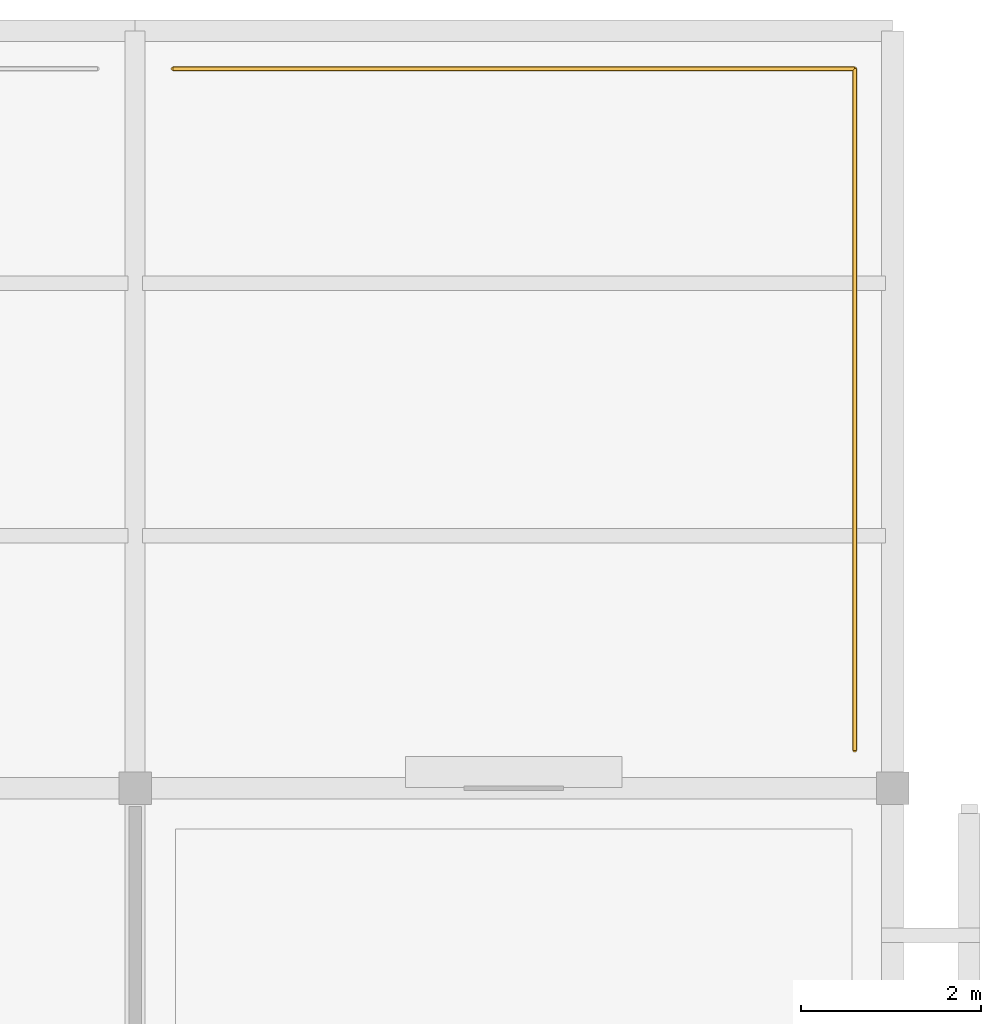
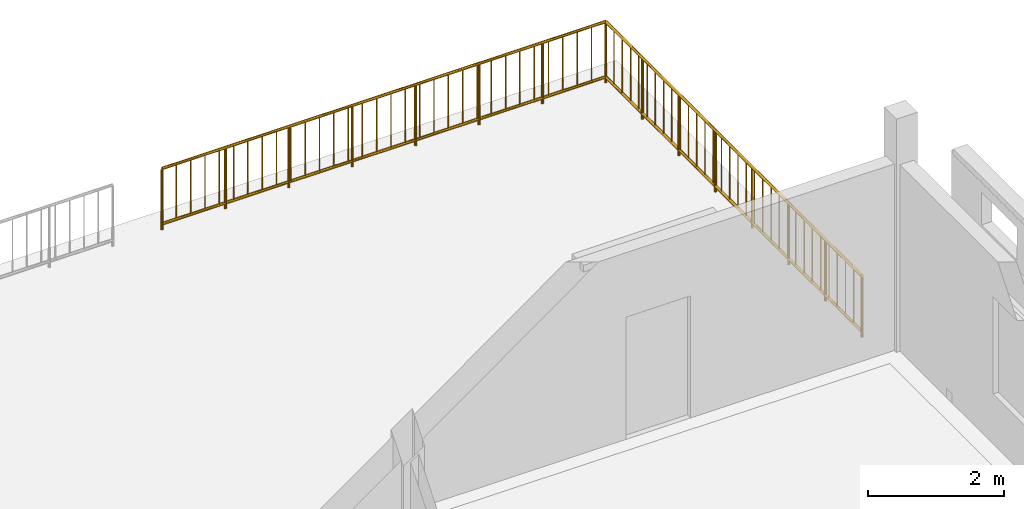
# One storey, part 13 of 13: 2 railings.
"""IFC4 building model written with IfcOpenShell, lengths in metres."""

from ifc_helpers import new_model, si_unit, direction, frame, origin, origin_2d, place, context, subcontext, project, spatial, circle, extrude, material, type_object, element, save


model = new_model("IFC4")

# Units and contexts
model_context = context("Model", 3, precision=1e-05, world=origin(), true_north=direction((0.0, 1.0)))
body_context = subcontext(model_context, "Body", "Model", "MODEL_VIEW")
ifc_project = project(units=[si_unit("LENGTHUNIT", "METRE"), si_unit("AREAUNIT", "SQUARE_METRE"), si_unit("VOLUMEUNIT", "CUBIC_METRE"), si_unit("PLANEANGLEUNIT", "RADIAN"), si_unit("MASSUNIT", "GRAM", prefix="KILO")], contexts=[model_context])

# Site, building, storey
site_placement = place(None, origin())
site = spatial("IfcSite", under=ifc_project, at=site_placement, CompositionType="ELEMENT")
building_placement = place(site_placement, origin())
building = spatial("IfcBuilding", under=site, at=building_placement, Name="Varnapada Polytechnic", CompositionType="ELEMENT")
storey_placement = place(building_placement, frame((0.0, 0.0, 26.39990234375)))
storey = spatial("IfcBuildingStorey", under=building, at=storey_placement, Name="L06", CompositionType="ELEMENT", Elevation=26.39990234375)

# Railings
ifc_material = material(Name="Painted galvanized steel", Category="steel")
railing_type = type_object("IfcRailingType", Name="Terrace Guard Rail GRD-01", PredefinedType="BALUSTRADE", material=ifc_material)
railing_1_placement = place(storey_placement, frame((17.219970703125, 125.580078125, 0.0)))
element("IfcRailing", 1, at=railing_1_placement, inside=storey, type_object=railing_type, Name="L06 terrace perimeter guard rail 9", PredefinedType="BALUSTRADE", context=body_context, shape_type="SweptSolid", body=[
    extrude(circle(Radius=0.02392578125, at=origin_2d()), frame((0.0, 0.0, 1.09619140625), z_axis=(1.0, 0.0, 0.0), x_axis=(0.0, 1.0, 0.0)), (0.0, 0.0, 1.0), 7.56005859375),
    extrude(circle(Radius=0.02392578125, at=origin_2d()), frame((0.0, 0.0, 0.10009765625), z_axis=(1.0, 0.0, 0.0), x_axis=(0.0, 1.0, 0.0)), (0.0, 0.0, 1.0), 7.56005859375),
    extrude(circle(Radius=0.02099609375, at=origin_2d()), origin(), (0.0, 0.0, 1.0), 1.072021484375),
    extrude(circle(Radius=0.02099609375, at=origin_2d()), frame((1.080078125, 0.0, 0.0)), (0.0, 0.0, 1.0), 1.072021484375),
    extrude(circle(Radius=0.02099609375, at=origin_2d()), frame((2.159912109375, 0.0, 0.0)), (0.0, 0.0, 1.0), 1.072021484375),
    extrude(circle(Radius=0.02099609375, at=origin_2d()), frame((3.239990234375, 0.0, 0.0)), (0.0, 0.0, 1.0), 1.072021484375),
    extrude(circle(Radius=0.02099609375, at=origin_2d()), frame((4.320068359375, 0.0, 0.0)), (0.0, 0.0, 1.0), 1.072021484375),
    extrude(circle(Radius=0.02099609375, at=origin_2d()), frame((5.400146484375, 0.0, 0.0)), (0.0, 0.0, 1.0), 1.072021484375),
    extrude(circle(Radius=0.02099609375, at=origin_2d()), frame((6.47998046875, 0.0, 0.0)), (0.0, 0.0, 1.0), 1.072021484375),
    extrude(circle(Radius=0.02099609375, at=origin_2d()), frame((7.56005859375, 0.0, 0.0)), (0.0, 0.0, 1.0), 1.072021484375),
    extrude(circle(Radius=0.010009765625, at=origin_2d()), frame((0.243896484375, 0.0, 0.10009765625)), (0.0, 0.0, 1.0), 0.971923828125),
    extrude(circle(Radius=0.010009765625, at=origin_2d()), frame((0.48779296875, 0.0, 0.10009765625)), (0.0, 0.0, 1.0), 0.971923828125),
    extrude(circle(Radius=0.010009765625, at=origin_2d()), frame((0.731689453125, 0.0, 0.10009765625)), (0.0, 0.0, 1.0), 0.971923828125),
    extrude(circle(Radius=0.010009765625, at=origin_2d()), frame((0.9755859375, 0.0, 0.10009765625)), (0.0, 0.0, 1.0), 0.971923828125),
    extrude(circle(Radius=0.010009765625, at=origin_2d()), frame((1.219482421875, 0.0, 0.10009765625)), (0.0, 0.0, 1.0), 0.971923828125),
    extrude(circle(Radius=0.010009765625, at=origin_2d()), frame((1.463134765625, 0.0, 0.10009765625)), (0.0, 0.0, 1.0), 0.971923828125),
    extrude(circle(Radius=0.010009765625, at=origin_2d()), frame((1.70703125, 0.0, 0.10009765625)), (0.0, 0.0, 1.0), 0.971923828125),
    extrude(circle(Radius=0.010009765625, at=origin_2d()), frame((1.950927734375, 0.0, 0.10009765625)), (0.0, 0.0, 1.0), 0.971923828125),
    extrude(circle(Radius=0.010009765625, at=origin_2d()), frame((2.19482421875, 0.0, 0.10009765625)), (0.0, 0.0, 1.0), 0.971923828125),
    extrude(circle(Radius=0.010009765625, at=origin_2d()), frame((2.438720703125, 0.0, 0.10009765625)), (0.0, 0.0, 1.0), 0.971923828125),
    extrude(circle(Radius=0.010009765625, at=origin_2d()), frame((2.6826171875, 0.0, 0.10009765625)), (0.0, 0.0, 1.0), 0.971923828125),
    extrude(circle(Radius=0.010009765625, at=origin_2d()), frame((2.926513671875, 0.0, 0.10009765625)), (0.0, 0.0, 1.0), 0.971923828125),
    extrude(circle(Radius=0.010009765625, at=origin_2d()), frame((3.17041015625, 0.0, 0.10009765625)), (0.0, 0.0, 1.0), 0.971923828125),
    extrude(circle(Radius=0.010009765625, at=origin_2d()), frame((3.414306640625, 0.0, 0.10009765625)), (0.0, 0.0, 1.0), 0.971923828125),
    extrude(circle(Radius=0.010009765625, at=origin_2d()), frame((3.658203125, 0.0, 0.10009765625)), (0.0, 0.0, 1.0), 0.971923828125),
    extrude(circle(Radius=0.010009765625, at=origin_2d()), frame((3.90185546875, 0.0, 0.10009765625)), (0.0, 0.0, 1.0), 0.971923828125),
    extrude(circle(Radius=0.010009765625, at=origin_2d()), frame((4.145751953125, 0.0, 0.10009765625)), (0.0, 0.0, 1.0), 0.971923828125),
    extrude(circle(Radius=0.010009765625, at=origin_2d()), frame((4.3896484375, 0.0, 0.10009765625)), (0.0, 0.0, 1.0), 0.971923828125),
    extrude(circle(Radius=0.010009765625, at=origin_2d()), frame((4.633544921875, 0.0, 0.10009765625)), (0.0, 0.0, 1.0), 0.971923828125),
    extrude(circle(Radius=0.010009765625, at=origin_2d()), frame((4.87744140625, 0.0, 0.10009765625)), (0.0, 0.0, 1.0), 0.971923828125),
    extrude(circle(Radius=0.010009765625, at=origin_2d()), frame((5.121337890625, 0.0, 0.10009765625)), (0.0, 0.0, 1.0), 0.971923828125),
    extrude(circle(Radius=0.010009765625, at=origin_2d()), frame((5.365234375, 0.0, 0.10009765625)), (0.0, 0.0, 1.0), 0.971923828125),
    extrude(circle(Radius=0.010009765625, at=origin_2d()), frame((5.609130859375, 0.0, 0.10009765625)), (0.0, 0.0, 1.0), 0.971923828125),
    extrude(circle(Radius=0.010009765625, at=origin_2d()), frame((5.85302734375, 0.0, 0.10009765625)), (0.0, 0.0, 1.0), 0.971923828125),
    extrude(circle(Radius=0.010009765625, at=origin_2d()), frame((6.096923828125, 0.0, 0.10009765625)), (0.0, 0.0, 1.0), 0.971923828125),
    extrude(circle(Radius=0.010009765625, at=origin_2d()), frame((6.340576171875, 0.0, 0.10009765625)), (0.0, 0.0, 1.0), 0.971923828125),
    extrude(circle(Radius=0.010009765625, at=origin_2d()), frame((6.58447265625, 0.0, 0.10009765625)), (0.0, 0.0, 1.0), 0.971923828125),
    extrude(circle(Radius=0.010009765625, at=origin_2d()), frame((6.828369140625, 0.0, 0.10009765625)), (0.0, 0.0, 1.0), 0.971923828125),
    extrude(circle(Radius=0.010009765625, at=origin_2d()), frame((7.072265625, 0.0, 0.10009765625)), (0.0, 0.0, 1.0), 0.971923828125),
    extrude(circle(Radius=0.010009765625, at=origin_2d()), frame((7.316162109375, 0.0, 0.10009765625)), (0.0, 0.0, 1.0), 0.971923828125),
])
railing_2_placement = place(storey_placement, frame((24.780029296875, 118.02001953125, 0.0)))
element("IfcRailing", 2, at=railing_2_placement, inside=storey, type_object=railing_type, Name="L06 terrace perimeter guard rail 10", PredefinedType="BALUSTRADE", context=body_context, shape_type="SweptSolid", body=[
    extrude(circle(Radius=0.02392578125, at=origin_2d()), frame((0.0, 0.0, 1.09619140625), z_axis=(0.0, 1.0, 0.0), x_axis=(-1.0, 0.0, 0.0)), (0.0, 0.0, 1.0), 7.56005859375),
    extrude(circle(Radius=0.02392578125, at=origin_2d()), frame((0.0, 0.0, 0.10009765625), z_axis=(0.0, 1.0, 0.0), x_axis=(-1.0, 0.0, 0.0)), (0.0, 0.0, 1.0), 7.56005859375),
    extrude(circle(Radius=0.02099609375, at=origin_2d()), origin(), (0.0, 0.0, 1.0), 1.072021484375),
    extrude(circle(Radius=0.02099609375, at=origin_2d()), frame((0.0, 1.080078125, 0.0)), (0.0, 0.0, 1.0), 1.072021484375),
    extrude(circle(Radius=0.02099609375, at=origin_2d()), frame((0.0, 2.159912109375, 0.0)), (0.0, 0.0, 1.0), 1.072021484375),
    extrude(circle(Radius=0.02099609375, at=origin_2d()), frame((0.0, 3.239990234375, 0.0)), (0.0, 0.0, 1.0), 1.072021484375),
    extrude(circle(Radius=0.02099609375, at=origin_2d()), frame((0.0, 4.320068359375, 0.0)), (0.0, 0.0, 1.0), 1.072021484375),
    extrude(circle(Radius=0.02099609375, at=origin_2d()), frame((0.0, 5.400146484375, 0.0)), (0.0, 0.0, 1.0), 1.072021484375),
    extrude(circle(Radius=0.02099609375, at=origin_2d()), frame((0.0, 6.47998046875, 0.0)), (0.0, 0.0, 1.0), 1.072021484375),
    extrude(circle(Radius=0.02099609375, at=origin_2d()), frame((0.0, 7.56005859375, 0.0)), (0.0, 0.0, 1.0), 1.072021484375),
    extrude(circle(Radius=0.010009765625, at=origin_2d()), frame((0.0, 0.243896484375, 0.10009765625)), (0.0, 0.0, 1.0), 0.971923828125),
    extrude(circle(Radius=0.010009765625, at=origin_2d()), frame((0.0, 0.48779296875, 0.10009765625)), (0.0, 0.0, 1.0), 0.971923828125),
    extrude(circle(Radius=0.010009765625, at=origin_2d()), frame((0.0, 0.731689453125, 0.10009765625)), (0.0, 0.0, 1.0), 0.971923828125),
    extrude(circle(Radius=0.010009765625, at=origin_2d()), frame((0.0, 0.9755859375, 0.10009765625)), (0.0, 0.0, 1.0), 0.971923828125),
    extrude(circle(Radius=0.010009765625, at=origin_2d()), frame((0.0, 1.219482421875, 0.10009765625)), (0.0, 0.0, 1.0), 0.971923828125),
    extrude(circle(Radius=0.010009765625, at=origin_2d()), frame((0.0, 1.463134765625, 0.10009765625)), (0.0, 0.0, 1.0), 0.971923828125),
    extrude(circle(Radius=0.010009765625, at=origin_2d()), frame((0.0, 1.70703125, 0.10009765625)), (0.0, 0.0, 1.0), 0.971923828125),
    extrude(circle(Radius=0.010009765625, at=origin_2d()), frame((0.0, 1.950927734375, 0.10009765625)), (0.0, 0.0, 1.0), 0.971923828125),
    extrude(circle(Radius=0.010009765625, at=origin_2d()), frame((0.0, 2.19482421875, 0.10009765625)), (0.0, 0.0, 1.0), 0.971923828125),
    extrude(circle(Radius=0.010009765625, at=origin_2d()), frame((0.0, 2.438720703125, 0.10009765625)), (0.0, 0.0, 1.0), 0.971923828125),
    extrude(circle(Radius=0.010009765625, at=origin_2d()), frame((0.0, 2.6826171875, 0.10009765625)), (0.0, 0.0, 1.0), 0.971923828125),
    extrude(circle(Radius=0.010009765625, at=origin_2d()), frame((0.0, 2.926513671875, 0.10009765625)), (0.0, 0.0, 1.0), 0.971923828125),
    extrude(circle(Radius=0.010009765625, at=origin_2d()), frame((0.0, 3.17041015625, 0.10009765625)), (0.0, 0.0, 1.0), 0.971923828125),
    extrude(circle(Radius=0.010009765625, at=origin_2d()), frame((0.0, 3.414306640625, 0.10009765625)), (0.0, 0.0, 1.0), 0.971923828125),
    extrude(circle(Radius=0.010009765625, at=origin_2d()), frame((0.0, 3.658203125, 0.10009765625)), (0.0, 0.0, 1.0), 0.971923828125),
    extrude(circle(Radius=0.010009765625, at=origin_2d()), frame((0.0, 3.90185546875, 0.10009765625)), (0.0, 0.0, 1.0), 0.971923828125),
    extrude(circle(Radius=0.010009765625, at=origin_2d()), frame((0.0, 4.145751953125, 0.10009765625)), (0.0, 0.0, 1.0), 0.971923828125),
    extrude(circle(Radius=0.010009765625, at=origin_2d()), frame((0.0, 4.3896484375, 0.10009765625)), (0.0, 0.0, 1.0), 0.971923828125),
    extrude(circle(Radius=0.010009765625, at=origin_2d()), frame((0.0, 4.633544921875, 0.10009765625)), (0.0, 0.0, 1.0), 0.971923828125),
    extrude(circle(Radius=0.010009765625, at=origin_2d()), frame((0.0, 4.87744140625, 0.10009765625)), (0.0, 0.0, 1.0), 0.971923828125),
    extrude(circle(Radius=0.010009765625, at=origin_2d()), frame((0.0, 5.121337890625, 0.10009765625)), (0.0, 0.0, 1.0), 0.971923828125),
    extrude(circle(Radius=0.010009765625, at=origin_2d()), frame((0.0, 5.365234375, 0.10009765625)), (0.0, 0.0, 1.0), 0.971923828125),
    extrude(circle(Radius=0.010009765625, at=origin_2d()), frame((0.0, 5.609130859375, 0.10009765625)), (0.0, 0.0, 1.0), 0.971923828125),
    extrude(circle(Radius=0.010009765625, at=origin_2d()), frame((0.0, 5.85302734375, 0.10009765625)), (0.0, 0.0, 1.0), 0.971923828125),
    extrude(circle(Radius=0.010009765625, at=origin_2d()), frame((0.0, 6.096923828125, 0.10009765625)), (0.0, 0.0, 1.0), 0.971923828125),
    extrude(circle(Radius=0.010009765625, at=origin_2d()), frame((0.0, 6.340576171875, 0.10009765625)), (0.0, 0.0, 1.0), 0.971923828125),
    extrude(circle(Radius=0.010009765625, at=origin_2d()), frame((0.0, 6.58447265625, 0.10009765625)), (0.0, 0.0, 1.0), 0.971923828125),
    extrude(circle(Radius=0.010009765625, at=origin_2d()), frame((0.0, 6.828369140625, 0.10009765625)), (0.0, 0.0, 1.0), 0.971923828125),
    extrude(circle(Radius=0.010009765625, at=origin_2d()), frame((0.0, 7.072265625, 0.10009765625)), (0.0, 0.0, 1.0), 0.971923828125),
    extrude(circle(Radius=0.010009765625, at=origin_2d()), frame((0.0, 7.316162109375, 0.10009765625)), (0.0, 0.0, 1.0), 0.971923828125),
])

save(model, "model.ifc")
